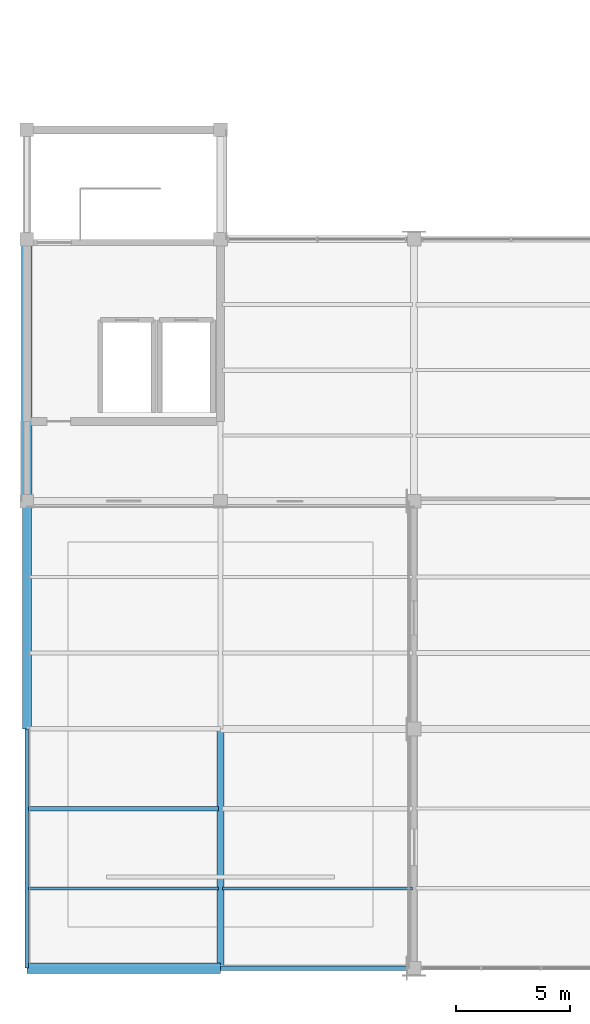
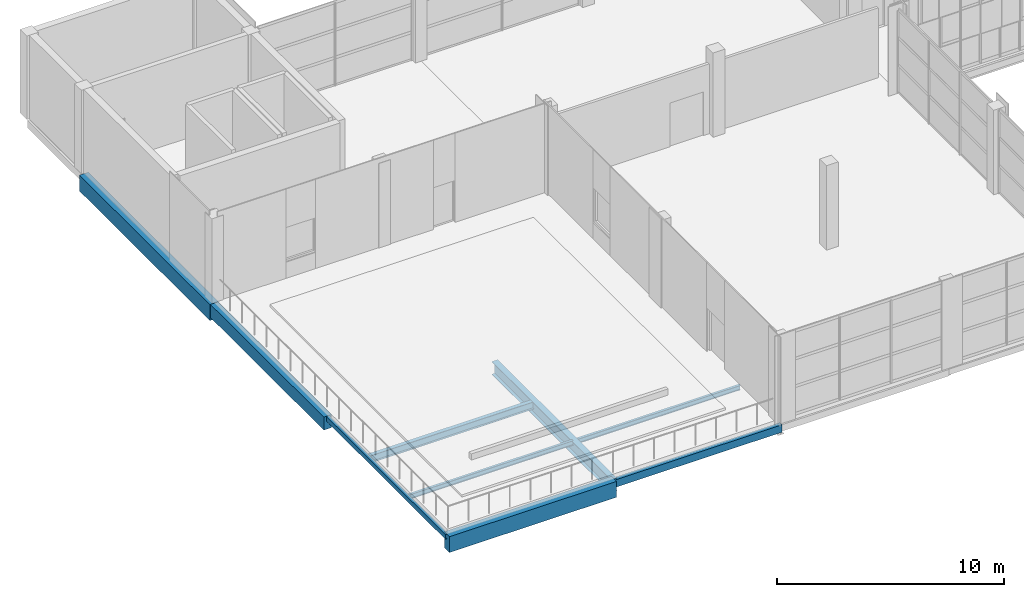
# One storey, part 5 of 46: 9 beams.
"""IFC4 building model written with IfcOpenShell, lengths in metres."""

import ifcopenshell
import ifcopenshell.guid

model = None  # the IFC model being written
_history = None  # IfcOwnerHistory: only IFC2X3 demands one
_inside = {}  # id of a spatial element -> (the spatial element, [elements in it])
_under = {}  # id of a project, library or spatial element -> (it, [spatial elements below it])
_declared = {}  # id of a project -> (the project, [libraries it declares])
_typed = {}  # id of a type object -> (the type object, [elements of that type])
_made_of = {}  # id of a material, layer set ... -> (it, [elements and type objects made of it])


def new_model(schema):
    """Start an empty IFC model of exactly this schema.

    Asked for "IFC4X3", IfcOpenShell would pick the latest addendum, in which some entities
    have other attributes; the version numbers below select the first issue.
    IFC2X3 requires an IfcOwnerHistory on every rooted entity: one is made here for all.
    """
    global model, _history
    if schema == "IFC4X3":
        model = ifcopenshell.file(schema_version=(4, 3, 0, 0))
    else:
        model = ifcopenshell.file(schema=schema)
    _inside.clear()
    _under.clear()
    _declared.clear()
    _typed.clear()
    _made_of.clear()
    _history = None
    if model.schema == "IFC2X3":
        org = make("IfcOrganization", Name="unknown")
        user = make(
            "IfcPersonAndOrganization",
            ThePerson=make("IfcPerson", FamilyName="unknown"),
            TheOrganization=org,
        )
        app = make(
            "IfcApplication",
            ApplicationDeveloper=org,
            Version="unknown",
            ApplicationFullName="unknown",
            ApplicationIdentifier="unknown",
        )
        _history = make(
            "IfcOwnerHistory",
            OwningUser=user,
            OwningApplication=app,
            ChangeAction="ADDED",
            CreationDate=0,
        )
    return model


def make(cls, **values):
    """One entity of the class cls with the attributes given. An attribute that is None is left unset."""
    return model.create_entity(
        cls, **{name: value for name, value in values.items() if value is not None}
    )


def rooted(cls, **values):
    """An entity with a GlobalId (a new one), such as an element, a storey or a relation."""
    return make(cls, GlobalId=ifcopenshell.guid.new(), OwnerHistory=_history, **values)


def si_unit(unit_type, name, prefix=None):
    """IfcSIUnit, for example si_unit("LENGTHUNIT", "METRE", prefix="MILLI")."""
    return make("IfcSIUnit", UnitType=unit_type, Prefix=prefix, Name=name)


def assignment(units):
    """IfcUnitAssignment: the units of a project."""
    return None if units is None else make("IfcUnitAssignment", Units=units)


def point(xyz):
    """IfcCartesianPoint."""
    return None if xyz is None else make("IfcCartesianPoint", Coordinates=xyz)


def direction(xyz):
    """IfcDirection."""
    return None if xyz is None else make("IfcDirection", DirectionRatios=xyz)


def frame(location, z_axis=None, x_axis=None):
    """IfcAxis2Placement3D, a coordinate frame: its origin and axes. An axis left out is left unset."""
    return make(
        "IfcAxis2Placement3D",
        Location=point(location),
        Axis=direction(z_axis),
        RefDirection=direction(x_axis),
    )


def frame_2d(location, x_axis=None):
    """IfcAxis2Placement2D, a coordinate frame in the plane: its origin and x axis."""
    return make(
        "IfcAxis2Placement2D", Location=point(location), RefDirection=direction(x_axis)
    )


def origin():
    """The frame at (0, 0, 0) with its axes left unset."""
    return frame((0.0, 0.0, 0.0))


def origin_2d():
    """The frame at (0, 0) in the plane with its x axis left unset."""
    return frame_2d((0.0, 0.0))


def place(relative_to, where):
    """IfcLocalPlacement: puts the frame where relative to a parent placement (None: the world)."""
    return make(
        "IfcLocalPlacement", PlacementRelTo=relative_to, RelativePlacement=where
    )


def context(
    kind, dimensions, precision=None, world=None, true_north=None, identifier=None
):
    """IfcGeometricRepresentationContext, for example the 3D "Model" context."""
    return make(
        "IfcGeometricRepresentationContext",
        ContextIdentifier=identifier,
        ContextType=kind,
        CoordinateSpaceDimension=dimensions,
        Precision=precision,
        WorldCoordinateSystem=world,
        TrueNorth=true_north,
    )


def subcontext(parent, identifier, kind, view, scale=None):
    """IfcGeometricRepresentationSubContext, for example "Body" below "Model"."""
    return make(
        "IfcGeometricRepresentationSubContext",
        ContextIdentifier=identifier,
        ContextType=kind,
        ParentContext=parent,
        TargetScale=scale,
        TargetView=view,
    )


def project(units=None, contexts=None):
    """IfcProject with its units and contexts."""
    return rooted(
        "IfcProject",
        Name="project",
        RepresentationContexts=contexts,
        UnitsInContext=assignment(units),
    )


def spatial(cls, under=None, at=None, **own):
    """A site, building, storey or space (cls), placed at a placement, below another one or the project."""
    s = rooted(cls, ObjectPlacement=at, **own)
    if under is not None:
        _under.setdefault(under.id(), (under, []))[1].append(s)
    return s


def profile(cls, at=None, kind="AREA", **sizes):
    """A parametric profile (cls). Its sizes go by their IFC names, for example OverallWidth=200.0."""
    return make(cls, ProfileType=kind, Position=at, **sizes)


def rectangle(**sizes):
    """IfcRectangleProfileDef."""
    return profile("IfcRectangleProfileDef", **sizes)


def hollow_rectangle(**sizes):
    """IfcRectangleHollowProfileDef."""
    return profile("IfcRectangleHollowProfileDef", **sizes)


def i_section(**sizes):
    """IfcIShapeProfileDef."""
    return profile("IfcIShapeProfileDef", **sizes)


def extrude(swept, where, along, depth):
    """IfcExtrudedAreaSolid: the profile swept, set in the frame where, extruded along a direction by depth."""
    return make(
        "IfcExtrudedAreaSolid",
        SweptArea=swept,
        Position=where,
        ExtrudedDirection=direction(along),
        Depth=depth,
    )


def shape(context_of_items, identifier, shape_type, items):
    """IfcShapeRepresentation: the items that make up one representation, for example the "Body"."""
    return make(
        "IfcShapeRepresentation",
        ContextOfItems=context_of_items,
        RepresentationIdentifier=identifier,
        RepresentationType=shape_type,
        Items=items,
    )


def material(Name=None, Category=None):
    """IfcMaterial."""
    return make("IfcMaterial", Name=Name, Category=Category)


def material_profile(
    of_material, cross_section, Name=None, Category=None, Priority=None
):
    """IfcMaterialProfile: a cross section and its material."""
    return make(
        "IfcMaterialProfile",
        Name=Name,
        Material=of_material,
        Profile=cross_section,
        Priority=Priority,
        Category=Category,
    )


def profile_set(profiles, Name=None, composite=None):
    """IfcMaterialProfileSet."""
    return make(
        "IfcMaterialProfileSet",
        Name=Name,
        MaterialProfiles=profiles,
        CompositeProfile=composite,
    )


def made_of(thing, what):
    """Note that an element or type object is made of a material, layer set ...; save() writes the relation."""
    if what is not None:
        _made_of.setdefault(what.id(), (what, []))[1].append(thing)
    return thing


def type_object(cls, material=None, **own):
    """A type object (cls), such as IfcWallType, which elements share."""
    return made_of(rooted(cls, **own), material)


def element(
    cls,
    number,
    at=None,
    inside=None,
    cuts=None,
    type_object=None,
    material=None,
    context=None,
    identifier="Body",
    shape_type=None,
    held_by="IfcProductDefinitionShape",
    body=None,
    shapes=None,
    **own,
):
    """One element of the class cls, such as IfcWall. Its Tag is "e" and its number.

    at: its placement. inside: the storey or other place that contains it. cuts: it is an
    opening in that element (IfcRelVoidsElement). A single representation is given by context,
    identifier, shape_type and body (its items); several are given by shapes. held_by: the class
    of the entity that holds the representations. save() writes the other relations.
    """
    e = rooted(cls, Tag="e%d" % number, ObjectPlacement=at, **own)
    if body is not None:
        shapes = [shape(context, identifier, shape_type, body)]
    if shapes is not None:
        e.Representation = make(held_by, Representations=shapes)
    if inside is not None:
        _inside.setdefault(inside.id(), (inside, []))[1].append(e)
    if cuts is not None:
        rooted(
            "IfcRelVoidsElement", RelatingBuildingElement=cuts, RelatedOpeningElement=e
        )
    if type_object is not None:
        _typed.setdefault(type_object.id(), (type_object, []))[1].append(e)
    return made_of(e, material)


def aggregate(whole, parts):
    """IfcRelAggregates: a whole, such as a stair, and the parts it consists of."""
    return rooted("IfcRelAggregates", RelatingObject=whole, RelatedObjects=parts)


def save(model, path):
    """Write the relations noted so far, then the file.

    IfcRelAggregates (storeys below a building ...), IfcRelContainedInSpatialStructure (elements
    in a storey), IfcRelDefinesByType, IfcRelAssociatesMaterial and IfcRelDeclares: one each for
    every whole, place, type object, material and project.
    """
    for whole, parts in _under.values():
        aggregate(whole, parts)
    for where, things in _inside.values():
        rooted(
            "IfcRelContainedInSpatialStructure",
            RelatedElements=things,
            RelatingStructure=where,
        )
    for kind, things in _typed.values():
        rooted("IfcRelDefinesByType", RelatedObjects=things, RelatingType=kind)
    for what, things in _made_of.values():
        rooted("IfcRelAssociatesMaterial", RelatedObjects=things, RelatingMaterial=what)
    for by, libraries in _declared.values():
        rooted("IfcRelDeclares", RelatingContext=by, RelatedDefinitions=libraries)
    model.write(path)


model = new_model("IFC4")

# Units and contexts
model_context = context("Model", 3, precision=1e-05, world=origin(), true_north=direction((0.0, 1.0)))
body_context = subcontext(model_context, "Body", "Model", "MODEL_VIEW")
ifc_project = project(units=[si_unit("LENGTHUNIT", "METRE"), si_unit("AREAUNIT", "SQUARE_METRE"), si_unit("VOLUMEUNIT", "CUBIC_METRE"), si_unit("PLANEANGLEUNIT", "RADIAN"), si_unit("MASSUNIT", "GRAM", prefix="KILO")], contexts=[model_context])

# Site, building, storey
site_placement = place(None, origin())
site = spatial("IfcSite", under=ifc_project, at=site_placement, CompositionType="ELEMENT")
building_placement = place(site_placement, origin())
building = spatial("IfcBuilding", under=site, at=building_placement, Name="Solvikara Media Centre", CompositionType="ELEMENT")
storey_placement = place(building_placement, frame((0.0, 0.0, 24.60009765625)))
storey = spatial("IfcBuildingStorey", under=building, at=storey_placement, Name="L05", CompositionType="ELEMENT", Elevation=24.60009765625)

# Beams
ifc_material_1 = material(Name="Concrete fc' 35 MPa (C35/45)", Category="concrete")
ifc_material_profile_1 = material_profile(ifc_material_1, rectangle(XDim=0.39990234375, YDim=0.699951171875, at=origin_2d()), Name="RC 400x700")
ifc_profile_set_1 = profile_set([ifc_material_profile_1], Name="Concrete fc' 35 MPa (C35/45)")
beam_type_1 = type_object("IfcBeamType", Name="BM-13", PredefinedType="SPANDREL", material=ifc_profile_set_1)
beam_1_placement = place(storey_placement, frame((34.0, 10.5, -0.6201171875), z_axis=(0.0, 1.0, 0.0), x_axis=(-1.0, 0.0, 0.0)))
element("IfcBeam", 1, at=beam_1_placement, inside=storey, type_object=beam_type_1, Name="B-L05-Y1651", PredefinedType="SPANDREL", context=body_context, shape_type="SweptSolid", body=[
    extrude(rectangle(XDim=0.39990234375, YDim=0.699951171875, at=origin_2d()), origin(), (0.0, 0.0, 1.0), 10.0),
])
ifc_material_profile_2 = material_profile(ifc_material_1, rectangle(XDim=0.449951171875, YDim=0.85009765625, at=origin_2d()), Name="RC 450x850")
ifc_profile_set_2 = profile_set([ifc_material_profile_2], Name="Concrete fc' 35 MPa (C35/45)")
beam_type_2 = type_object("IfcBeamType", Name="BM-14", PredefinedType="SPANDREL", material=ifc_profile_set_2)
beam_2_placement = place(storey_placement, frame((34.0, 0.0, -0.695068359375), z_axis=(1.0, 0.0, 0.0), x_axis=(0.0, 1.0, 0.0)))
element("IfcBeam", 2, at=beam_2_placement, inside=storey, type_object=beam_type_2, Name="B-L05-X1634", PredefinedType="SPANDREL", context=body_context, shape_type="SweptSolid", body=[
    extrude(rectangle(XDim=0.449951171875, YDim=0.85009765625, at=origin_2d()), origin(), (0.0, 0.0, 1.0), 8.5),
])
beam_3_placement = place(storey_placement, frame((34.0, 20.5, -0.705078125), z_axis=(0.0, 1.0, 0.0), x_axis=(-1.0, 0.0, 0.0)))
element("IfcBeam", 3, at=beam_3_placement, inside=storey, type_object=beam_type_2, Name="B-L05-Y1652", PredefinedType="SPANDREL", context=body_context, shape_type="SweptSolid", body=[
    extrude(rectangle(XDim=0.449951171875, YDim=0.85009765625, at=origin_2d()), origin(), (0.0, 0.0, 1.0), 11.5),
])
ifc_material_2 = material(Name="Steel S355JR", Category="steel")
ifc_material_profile_3 = material_profile(ifc_material_2, i_section(OverallWidth=0.300048828125, OverallDepth=0.699951171875, WebThickness=0.012939453125, FlangeThickness=0.02392578125, at=origin_2d()), Name="WF 700x300x13x24")
ifc_profile_set_3 = profile_set([ifc_material_profile_3], Name="Steel S355JR")
beam_type_3 = type_object("IfcBeamType", Name="BM-17", PredefinedType="BEAM", material=ifc_profile_set_3)
beam_4_placement = place(storey_placement, frame((42.5, 0.0, -0.6220703125), z_axis=(0.0, 1.0, 0.0), x_axis=(-1.0, 0.0, 0.0)))
element("IfcBeam", 4, at=beam_4_placement, inside=storey, type_object=beam_type_3, Name="B-L05-Y1654", PredefinedType="BEAM", context=body_context, shape_type="SweptSolid", body=[
    extrude(i_section(OverallWidth=0.300048828125, OverallDepth=0.699951171875, WebThickness=0.012939453125, FlangeThickness=0.02392578125, at=origin_2d()), origin(), (0.0, 0.0, 1.0), 10.5),
])
ifc_material_profile_4 = material_profile(ifc_material_2, i_section(OverallWidth=0.199951171875, OverallDepth=0.39990234375, WebThickness=0.008056640625, FlangeThickness=0.012939453125, at=origin_2d()), Name="WF 400x200x8x13")
ifc_profile_set_4 = profile_set([ifc_material_profile_4], Name="Steel S355JR")
beam_type_4 = type_object("IfcBeamType", Name="BM-21", PredefinedType="JOIST", material=ifc_profile_set_4)
beam_5_placement = place(storey_placement, frame((34.077880859375, 7.0, -0.47216796875), z_axis=(1.0, 0.0, 0.0), x_axis=(0.0, 1.0, 0.0)))
element("IfcBeam", 5, at=beam_5_placement, inside=storey, type_object=beam_type_4, Name="J-L05-1673", PredefinedType="JOIST", context=body_context, shape_type="SweptSolid", body=[
    extrude(i_section(OverallWidth=0.199951171875, OverallDepth=0.39990234375, WebThickness=0.008056640625, FlangeThickness=0.012939453125, at=origin_2d()), origin(), (0.0, 0.0, 1.0), 8.34423828125),
])
ifc_material_profile_5 = material_profile(ifc_material_2, i_section(OverallWidth=0.125, OverallDepth=0.25, WebThickness=0.006103515625, FlangeThickness=0.009033203125, at=origin_2d()), Name="WF 250x125x6x9")
ifc_profile_set_5 = profile_set([ifc_material_profile_5], Name="Steel S355JR")
beam_type_5 = type_object("IfcBeamType", Name="BM-24", PredefinedType="JOIST", material=ifc_profile_set_5)
beam_6_placement = place(storey_placement, frame((42.577880859375, 3.5, -0.397216796875), z_axis=(1.0, 0.0, 0.0), x_axis=(0.0, 1.0, 0.0)))
element("IfcBeam", 6, at=beam_6_placement, inside=storey, type_object=beam_type_5, Name="J-L05-1676", PredefinedType="JOIST", context=body_context, shape_type="SweptSolid", body=[
    extrude(i_section(OverallWidth=0.125, OverallDepth=0.25, WebThickness=0.006103515625, FlangeThickness=0.009033203125, at=origin_2d()), origin(), (0.0, 0.0, 1.0), 8.34423828125),
])
ifc_material_profile_6 = material_profile(ifc_material_2, hollow_rectangle(XDim=0.199951171875, YDim=0.39990234375, WallThickness=0.011962890625, at=origin_2d()), Name="RHS 400x200x12")
ifc_profile_set_6 = profile_set([ifc_material_profile_6], Name="Steel S355JR")
beam_type_6 = type_object("IfcBeamType", Name="BM-33", PredefinedType="SPANDREL", material=ifc_profile_set_6)
beam_7_placement = place(storey_placement, frame((42.5, 0.0, -0.47216796875), z_axis=(1.0, 0.0, 0.0), x_axis=(0.0, 1.0, 0.0)))
element("IfcBeam", 7, at=beam_7_placement, inside=storey, type_object=beam_type_6, Name="B-L05-X1635", PredefinedType="SPANDREL", context=body_context, shape_type="SweptSolid", body=[
    extrude(hollow_rectangle(XDim=0.199951171875, YDim=0.39990234375, WallThickness=0.011962890625, at=origin_2d()), origin(), (0.0, 0.0, 1.0), 8.5),
])
ifc_material_profile_7 = material_profile(ifc_material_2, hollow_rectangle(XDim=0.14990234375, YDim=0.25, WallThickness=0.008056640625, at=origin_2d()), Name="RHS 250x150x8")
ifc_profile_set_7 = profile_set([ifc_material_profile_7], Name="Steel S355JR")
beam_type_7 = type_object("IfcBeamType", Name="BM-36", PredefinedType="JOIST", material=ifc_profile_set_7)
beam_8_placement = place(storey_placement, frame((34.0, 0.0, -0.397216796875), z_axis=(0.0, 1.0, 0.0), x_axis=(-1.0, 0.0, 0.0)))
element("IfcBeam", 8, at=beam_8_placement, inside=storey, type_object=beam_type_7, Name="B-L05-Y1650", PredefinedType="JOIST", context=body_context, shape_type="SweptSolid", body=[
    extrude(hollow_rectangle(XDim=0.14990234375, YDim=0.25, WallThickness=0.008056640625, at=origin_2d()), origin(), (0.0, 0.0, 1.0), 10.5),
])
ifc_material_profile_8 = material_profile(ifc_material_2, i_section(OverallWidth=0.1240234375, OverallDepth=0.248046875, WebThickness=0.0048828125, FlangeThickness=0.008056640625, at=origin_2d()), Name="WF 248x124x5x8")
ifc_profile_set_8 = profile_set([ifc_material_profile_8], Name="Steel S355JR")
beam_type_8 = type_object("IfcBeamType", Name="BM-40", PredefinedType="JOIST", material=ifc_profile_set_8)
beam_9_placement = place(storey_placement, frame((34.077880859375, 3.5, -0.39599609375), z_axis=(1.0, 0.0, 0.0), x_axis=(0.0, 1.0, 0.0)))
element("IfcBeam", 9, at=beam_9_placement, inside=storey, type_object=beam_type_8, Name="J-L05-1672", PredefinedType="JOIST", context=body_context, shape_type="SweptSolid", body=[
    extrude(i_section(OverallWidth=0.1240234375, OverallDepth=0.248046875, WebThickness=0.0048828125, FlangeThickness=0.008056640625, at=origin_2d()), origin(), (0.0, 0.0, 1.0), 8.34423828125),
])

save(model, "model.ifc")
